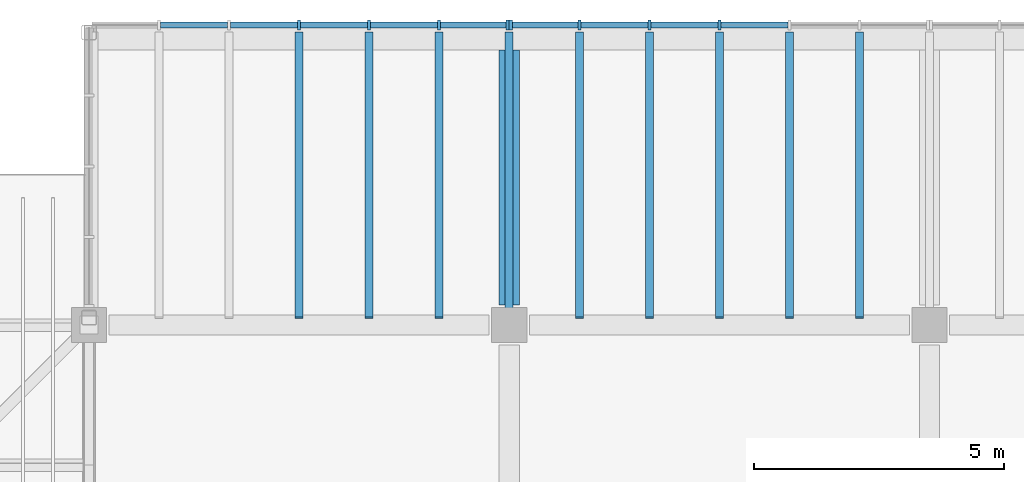
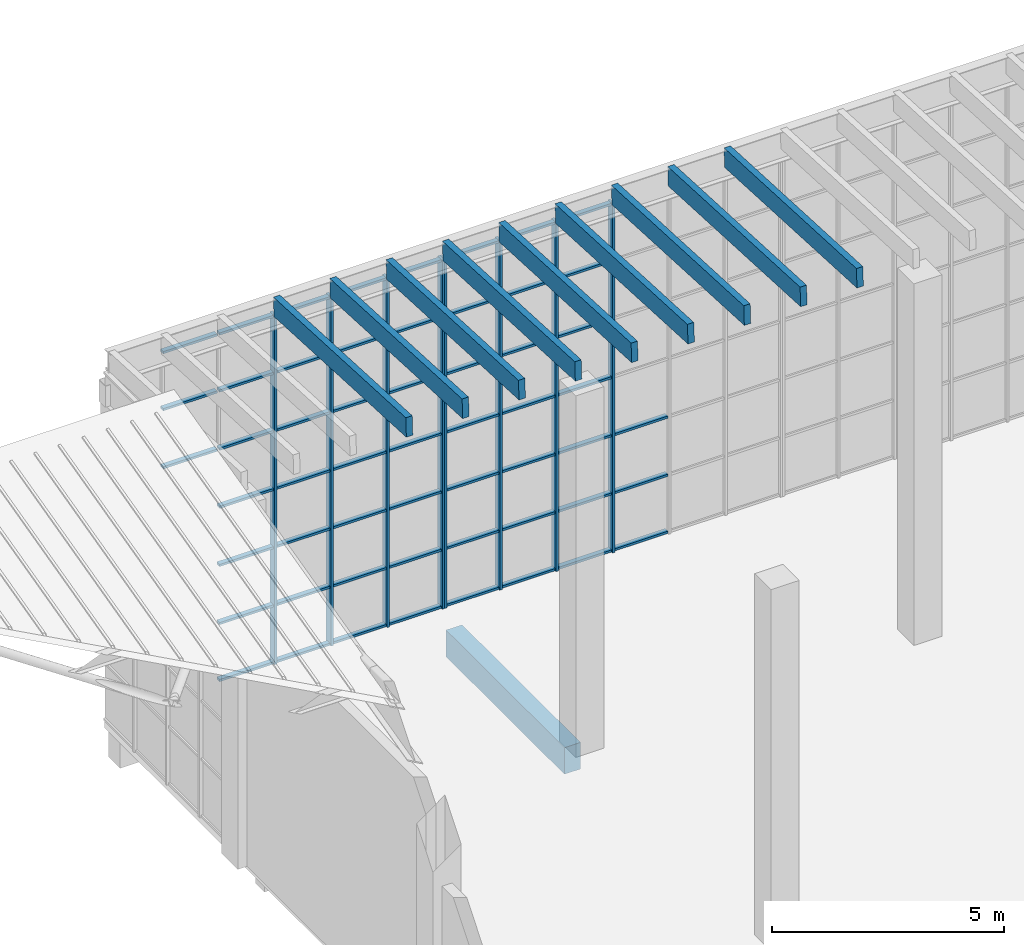
# One storey, part 16 of 114: 72 members, 1 beam, 2 elements without a shape of their own.
"""IFC4 building model written with IfcOpenShell, lengths in metres."""

from ifc_helpers import new_model, si_unit, direction, frame, origin, origin_2d, place, context, subcontext, project, spatial, rectangle, extrude, material, material_profile, profile_set, type_object, element, aggregate, save


model = new_model("IFC4")

# Units and contexts
model_context = context("Model", 3, precision=1e-05, world=origin(), true_north=direction((0.0, 1.0)))
body_context = subcontext(model_context, "Body", "Model", "MODEL_VIEW")
ifc_project = project(units=[si_unit("LENGTHUNIT", "METRE"), si_unit("AREAUNIT", "SQUARE_METRE"), si_unit("VOLUMEUNIT", "CUBIC_METRE"), si_unit("PLANEANGLEUNIT", "RADIAN"), si_unit("MASSUNIT", "GRAM", prefix="KILO")], contexts=[model_context])

# Site, building, storey
site_placement = place(None, origin())
site = spatial("IfcSite", under=ifc_project, at=site_placement, CompositionType="ELEMENT")
building_placement = place(site_placement, origin())
building = spatial("IfcBuilding", under=site, at=building_placement, Name="Almond Square Museum", CompositionType="ELEMENT")
storey_placement = place(building_placement, frame((0.0, 0.0, 10.5)))
storey = spatial("IfcBuildingStorey", under=building, at=storey_placement, Name="L02", CompositionType="ELEMENT", Elevation=10.5)

# Curtain wall, members
ifc_material_1 = material(Name="Aluminium and laminated glass", Category="aluminium")
curtain_wall_type = type_object("IfcCurtainWallType", Name="Unitised curtain wall 1500 module", PredefinedType="NOTDEFINED", material=ifc_material_1)
curtain_wall_1_placement = place(storey_placement, origin())
curtain_wall_1 = element("IfcCurtainWall", 1, at=curtain_wall_1_placement, inside=storey, type_object=curtain_wall_type, Name="Curtain wall CW-23", PredefinedType="NOTDEFINED")
ifc_material_2 = material(Name="Anodised aluminium", Category="aluminium")
ifc_material_profile_1 = material_profile(ifc_material_2, rectangle(XDim=0.199951171875, YDim=0.06005859375, at=origin_2d()))
ifc_profile_set_1 = profile_set([ifc_material_profile_1], Name="Anodised aluminium")
member_type_1 = type_object("IfcMemberType", Name="Aluminium mullion 60 x 200", PredefinedType="MULLION", material=ifc_profile_set_1)
member_1_placement = place(storey_placement, frame((48.030029296875, 115.199951171875, 0.0), z_axis=(0.0, 0.0, 1.0), x_axis=(0.0, 1.0, 0.0)))
member_1 = element("IfcMember", 2, at=member_1_placement, type_object=member_type_1, Name="CW-23 mullion 1", PredefinedType="MULLION", context=body_context, shape_type="SweptSolid", body=[
    extrude(rectangle(XDim=0.199951171875, YDim=0.06005859375, at=origin_2d()), origin(), (0.0, 0.0, 1.0), 9.166259765625),
])
member_2_placement = place(storey_placement, frame((49.39990234375, 115.199951171875, 0.0), z_axis=(0.0, 0.0, 1.0), x_axis=(0.0, 1.0, 0.0)))
member_2 = element("IfcMember", 3, at=member_2_placement, type_object=member_type_1, Name="CW-23 mullion 2", PredefinedType="MULLION", context=body_context, shape_type="SweptSolid", body=[
    extrude(rectangle(XDim=0.199951171875, YDim=0.06005859375, at=origin_2d()), origin(), (0.0, 0.0, 1.0), 9.166259765625),
])
member_3_placement = place(storey_placement, frame((50.800048828125, 115.199951171875, 0.0), z_axis=(0.0, 0.0, 1.0), x_axis=(0.0, 1.0, 0.0)))
member_3 = element("IfcMember", 4, at=member_3_placement, type_object=member_type_1, Name="CW-23 mullion 3", PredefinedType="MULLION", context=body_context, shape_type="SweptSolid", body=[
    extrude(rectangle(XDim=0.199951171875, YDim=0.06005859375, at=origin_2d()), origin(), (0.0, 0.0, 1.0), 9.166259765625),
])
member_4_placement = place(storey_placement, frame((52.199951171875, 115.199951171875, 0.0), z_axis=(0.0, 0.0, 1.0), x_axis=(0.0, 1.0, 0.0)))
member_4 = element("IfcMember", 5, at=member_4_placement, type_object=member_type_1, Name="CW-23 mullion 4", PredefinedType="MULLION", context=body_context, shape_type="SweptSolid", body=[
    extrude(rectangle(XDim=0.199951171875, YDim=0.06005859375, at=origin_2d()), origin(), (0.0, 0.0, 1.0), 9.166259765625),
])

curtain_wall_2_placement = place(storey_placement, origin())
curtain_wall_2 = element("IfcCurtainWall", 6, at=curtain_wall_2_placement, inside=storey, type_object=curtain_wall_type, Name="Curtain wall CW-24", PredefinedType="NOTDEFINED")
member_5_placement = place(storey_placement, frame((43.800048828125, 115.199951171875, 0.0), z_axis=(0.0, 0.0, 1.0), x_axis=(0.0, 1.0, 0.0)))
member_5 = element("IfcMember", 7, at=member_5_placement, type_object=member_type_1, Name="CW-24 mullion 4", PredefinedType="MULLION", context=body_context, shape_type="SweptSolid", body=[
    extrude(rectangle(XDim=0.199951171875, YDim=0.06005859375, at=origin_2d()), origin(), (0.0, 0.0, 1.0), 9.166259765625),
])
member_6_placement = place(storey_placement, frame((45.199951171875, 115.199951171875, 0.0), z_axis=(0.0, 0.0, 1.0), x_axis=(0.0, 1.0, 0.0)))
member_6 = element("IfcMember", 8, at=member_6_placement, type_object=member_type_1, Name="CW-24 mullion 5", PredefinedType="MULLION", context=body_context, shape_type="SweptSolid", body=[
    extrude(rectangle(XDim=0.199951171875, YDim=0.06005859375, at=origin_2d()), origin(), (0.0, 0.0, 1.0), 9.166259765625),
])
member_7_placement = place(storey_placement, frame((46.60009765625, 115.199951171875, 0.0), z_axis=(0.0, 0.0, 1.0), x_axis=(0.0, 1.0, 0.0)))
member_7 = element("IfcMember", 9, at=member_7_placement, type_object=member_type_1, Name="CW-24 mullion 6", PredefinedType="MULLION", context=body_context, shape_type="SweptSolid", body=[
    extrude(rectangle(XDim=0.199951171875, YDim=0.06005859375, at=origin_2d()), origin(), (0.0, 0.0, 1.0), 9.166259765625),
])
member_8_placement = place(storey_placement, frame((47.969970703125, 115.199951171875, 0.0), z_axis=(0.0, 0.0, 1.0), x_axis=(0.0, 1.0, 0.0)))
member_8 = element("IfcMember", 10, at=member_8_placement, type_object=member_type_1, Name="CW-24 mullion 7", PredefinedType="MULLION", context=body_context, shape_type="SweptSolid", body=[
    extrude(rectangle(XDim=0.199951171875, YDim=0.06005859375, at=origin_2d()), origin(), (0.0, 0.0, 1.0), 9.166259765625),
])

# Member
ifc_material_3 = material(Name="Anodised aluminium", Category="aluminium")
ifc_material_profile_2 = material_profile(ifc_material_3, rectangle(XDim=0.1201171875, YDim=0.06005859375, at=origin_2d()))
ifc_profile_set_2 = profile_set([ifc_material_profile_2], Name="Anodised aluminium")
member_type_2 = type_object("IfcMemberType", Name="Aluminium transom 60 x 120", PredefinedType="USERDEFINED", material=ifc_profile_set_2)
member_9_placement = place(storey_placement, frame((48.06005859375, 115.199951171875, 0.030029296875), z_axis=(1.0, 0.0, 0.0), x_axis=(0.0, 1.0, 0.0)))
member_9 = element("IfcMember", 11, at=member_9_placement, type_object=member_type_2, Name="CW-23 transom 1.1", ObjectType="TRANSOM", PredefinedType="USERDEFINED", context=body_context, shape_type="SweptSolid", body=[
    extrude(rectangle(XDim=0.1201171875, YDim=0.06005859375, at=origin_2d()), origin(), (0.0, 0.0, 1.0), 1.31005859375),
])

member_10_placement = place(storey_placement, frame((48.06005859375, 115.199951171875, 1.527587890625), z_axis=(1.0, 0.0, 0.0), x_axis=(0.0, 1.0, 0.0)))
member_10 = element("IfcMember", 12, at=member_10_placement, type_object=member_type_2, Name="CW-23 transom 1.2", ObjectType="TRANSOM", PredefinedType="USERDEFINED", context=body_context, shape_type="SweptSolid", body=[
    extrude(rectangle(XDim=0.1201171875, YDim=0.06005859375, at=origin_2d()), origin(), (0.0, 0.0, 1.0), 1.31005859375),
])

member_11_placement = place(storey_placement, frame((48.06005859375, 115.199951171875, 3.055419921875), z_axis=(1.0, 0.0, 0.0), x_axis=(0.0, 1.0, 0.0)))
member_11 = element("IfcMember", 13, at=member_11_placement, type_object=member_type_2, Name="CW-23 transom 1.3", ObjectType="TRANSOM", PredefinedType="USERDEFINED", context=body_context, shape_type="SweptSolid", body=[
    extrude(rectangle(XDim=0.1201171875, YDim=0.06005859375, at=origin_2d()), origin(), (0.0, 0.0, 1.0), 1.31005859375),
])

member_12_placement = place(storey_placement, frame((48.06005859375, 115.199951171875, 4.5830078125), z_axis=(1.0, 0.0, 0.0), x_axis=(0.0, 1.0, 0.0)))
member_12 = element("IfcMember", 14, at=member_12_placement, type_object=member_type_2, Name="CW-23 transom 1.4", ObjectType="TRANSOM", PredefinedType="USERDEFINED", context=body_context, shape_type="SweptSolid", body=[
    extrude(rectangle(XDim=0.1201171875, YDim=0.06005859375, at=origin_2d()), origin(), (0.0, 0.0, 1.0), 1.31005859375),
])

member_13_placement = place(storey_placement, frame((48.06005859375, 115.199951171875, 6.11083984375), z_axis=(1.0, 0.0, 0.0), x_axis=(0.0, 1.0, 0.0)))
member_13 = element("IfcMember", 15, at=member_13_placement, type_object=member_type_2, Name="CW-23 transom 1.5", ObjectType="TRANSOM", PredefinedType="USERDEFINED", context=body_context, shape_type="SweptSolid", body=[
    extrude(rectangle(XDim=0.1201171875, YDim=0.06005859375, at=origin_2d()), origin(), (0.0, 0.0, 1.0), 1.31005859375),
])

member_14_placement = place(storey_placement, frame((48.06005859375, 115.199951171875, 7.638427734375), z_axis=(1.0, 0.0, 0.0), x_axis=(0.0, 1.0, 0.0)))
member_14 = element("IfcMember", 16, at=member_14_placement, type_object=member_type_2, Name="CW-23 transom 1.6", ObjectType="TRANSOM", PredefinedType="USERDEFINED", context=body_context, shape_type="SweptSolid", body=[
    extrude(rectangle(XDim=0.1201171875, YDim=0.06005859375, at=origin_2d()), origin(), (0.0, 0.0, 1.0), 1.31005859375),
])

member_15_placement = place(storey_placement, frame((48.06005859375, 115.199951171875, 9.13623046875), z_axis=(1.0, 0.0, 0.0), x_axis=(0.0, 1.0, 0.0)))
member_15 = element("IfcMember", 17, at=member_15_placement, type_object=member_type_2, Name="CW-23 transom 1.7", ObjectType="TRANSOM", PredefinedType="USERDEFINED", context=body_context, shape_type="SweptSolid", body=[
    extrude(rectangle(XDim=0.1201171875, YDim=0.06005859375, at=origin_2d()), origin(), (0.0, 0.0, 1.0), 1.31005859375),
])

member_16_placement = place(storey_placement, frame((49.429931640625, 115.199951171875, 0.030029296875), z_axis=(1.0, 0.0, 0.0), x_axis=(0.0, 1.0, 0.0)))
member_16 = element("IfcMember", 18, at=member_16_placement, type_object=member_type_2, Name="CW-23 transom 2.1", ObjectType="TRANSOM", PredefinedType="USERDEFINED", context=body_context, shape_type="SweptSolid", body=[
    extrude(rectangle(XDim=0.1201171875, YDim=0.06005859375, at=origin_2d()), origin(), (0.0, 0.0, 1.0), 1.340087890625),
])

member_17_placement = place(storey_placement, frame((49.429931640625, 115.199951171875, 1.527587890625), z_axis=(1.0, 0.0, 0.0), x_axis=(0.0, 1.0, 0.0)))
member_17 = element("IfcMember", 19, at=member_17_placement, type_object=member_type_2, Name="CW-23 transom 2.2", ObjectType="TRANSOM", PredefinedType="USERDEFINED", context=body_context, shape_type="SweptSolid", body=[
    extrude(rectangle(XDim=0.1201171875, YDim=0.06005859375, at=origin_2d()), origin(), (0.0, 0.0, 1.0), 1.340087890625),
])

member_18_placement = place(storey_placement, frame((49.429931640625, 115.199951171875, 3.055419921875), z_axis=(1.0, 0.0, 0.0), x_axis=(0.0, 1.0, 0.0)))
member_18 = element("IfcMember", 20, at=member_18_placement, type_object=member_type_2, Name="CW-23 transom 2.3", ObjectType="TRANSOM", PredefinedType="USERDEFINED", context=body_context, shape_type="SweptSolid", body=[
    extrude(rectangle(XDim=0.1201171875, YDim=0.06005859375, at=origin_2d()), origin(), (0.0, 0.0, 1.0), 1.340087890625),
])

member_19_placement = place(storey_placement, frame((49.429931640625, 115.199951171875, 4.5830078125), z_axis=(1.0, 0.0, 0.0), x_axis=(0.0, 1.0, 0.0)))
member_19 = element("IfcMember", 21, at=member_19_placement, type_object=member_type_2, Name="CW-23 transom 2.4", ObjectType="TRANSOM", PredefinedType="USERDEFINED", context=body_context, shape_type="SweptSolid", body=[
    extrude(rectangle(XDim=0.1201171875, YDim=0.06005859375, at=origin_2d()), origin(), (0.0, 0.0, 1.0), 1.340087890625),
])

member_20_placement = place(storey_placement, frame((49.429931640625, 115.199951171875, 6.11083984375), z_axis=(1.0, 0.0, 0.0), x_axis=(0.0, 1.0, 0.0)))
member_20 = element("IfcMember", 22, at=member_20_placement, type_object=member_type_2, Name="CW-23 transom 2.5", ObjectType="TRANSOM", PredefinedType="USERDEFINED", context=body_context, shape_type="SweptSolid", body=[
    extrude(rectangle(XDim=0.1201171875, YDim=0.06005859375, at=origin_2d()), origin(), (0.0, 0.0, 1.0), 1.340087890625),
])

member_21_placement = place(storey_placement, frame((49.429931640625, 115.199951171875, 7.638427734375), z_axis=(1.0, 0.0, 0.0), x_axis=(0.0, 1.0, 0.0)))
member_21 = element("IfcMember", 23, at=member_21_placement, type_object=member_type_2, Name="CW-23 transom 2.6", ObjectType="TRANSOM", PredefinedType="USERDEFINED", context=body_context, shape_type="SweptSolid", body=[
    extrude(rectangle(XDim=0.1201171875, YDim=0.06005859375, at=origin_2d()), origin(), (0.0, 0.0, 1.0), 1.340087890625),
])

member_22_placement = place(storey_placement, frame((49.429931640625, 115.199951171875, 9.13623046875), z_axis=(1.0, 0.0, 0.0), x_axis=(0.0, 1.0, 0.0)))
member_22 = element("IfcMember", 24, at=member_22_placement, type_object=member_type_2, Name="CW-23 transom 2.7", ObjectType="TRANSOM", PredefinedType="USERDEFINED", context=body_context, shape_type="SweptSolid", body=[
    extrude(rectangle(XDim=0.1201171875, YDim=0.06005859375, at=origin_2d()), origin(), (0.0, 0.0, 1.0), 1.340087890625),
])

member_23_placement = place(storey_placement, frame((50.830078125, 115.199951171875, 0.030029296875), z_axis=(1.0, 0.0, 0.0), x_axis=(0.0, 1.0, 0.0)))
member_23 = element("IfcMember", 25, at=member_23_placement, type_object=member_type_2, Name="CW-23 transom 3.1", ObjectType="TRANSOM", PredefinedType="USERDEFINED", context=body_context, shape_type="SweptSolid", body=[
    extrude(rectangle(XDim=0.1201171875, YDim=0.06005859375, at=origin_2d()), origin(), (0.0, 0.0, 1.0), 1.33984375),
])

member_24_placement = place(storey_placement, frame((50.830078125, 115.199951171875, 1.527587890625), z_axis=(1.0, 0.0, 0.0), x_axis=(0.0, 1.0, 0.0)))
member_24 = element("IfcMember", 26, at=member_24_placement, type_object=member_type_2, Name="CW-23 transom 3.2", ObjectType="TRANSOM", PredefinedType="USERDEFINED", context=body_context, shape_type="SweptSolid", body=[
    extrude(rectangle(XDim=0.1201171875, YDim=0.06005859375, at=origin_2d()), origin(), (0.0, 0.0, 1.0), 1.33984375),
])

member_25_placement = place(storey_placement, frame((50.830078125, 115.199951171875, 3.055419921875), z_axis=(1.0, 0.0, 0.0), x_axis=(0.0, 1.0, 0.0)))
member_25 = element("IfcMember", 27, at=member_25_placement, type_object=member_type_2, Name="CW-23 transom 3.3", ObjectType="TRANSOM", PredefinedType="USERDEFINED", context=body_context, shape_type="SweptSolid", body=[
    extrude(rectangle(XDim=0.1201171875, YDim=0.06005859375, at=origin_2d()), origin(), (0.0, 0.0, 1.0), 1.33984375),
])

member_26_placement = place(storey_placement, frame((50.830078125, 115.199951171875, 4.5830078125), z_axis=(1.0, 0.0, 0.0), x_axis=(0.0, 1.0, 0.0)))
member_26 = element("IfcMember", 28, at=member_26_placement, type_object=member_type_2, Name="CW-23 transom 3.4", ObjectType="TRANSOM", PredefinedType="USERDEFINED", context=body_context, shape_type="SweptSolid", body=[
    extrude(rectangle(XDim=0.1201171875, YDim=0.06005859375, at=origin_2d()), origin(), (0.0, 0.0, 1.0), 1.33984375),
])

member_27_placement = place(storey_placement, frame((50.830078125, 115.199951171875, 6.11083984375), z_axis=(1.0, 0.0, 0.0), x_axis=(0.0, 1.0, 0.0)))
member_27 = element("IfcMember", 29, at=member_27_placement, type_object=member_type_2, Name="CW-23 transom 3.5", ObjectType="TRANSOM", PredefinedType="USERDEFINED", context=body_context, shape_type="SweptSolid", body=[
    extrude(rectangle(XDim=0.1201171875, YDim=0.06005859375, at=origin_2d()), origin(), (0.0, 0.0, 1.0), 1.33984375),
])

member_28_placement = place(storey_placement, frame((50.830078125, 115.199951171875, 7.638427734375), z_axis=(1.0, 0.0, 0.0), x_axis=(0.0, 1.0, 0.0)))
member_28 = element("IfcMember", 30, at=member_28_placement, type_object=member_type_2, Name="CW-23 transom 3.6", ObjectType="TRANSOM", PredefinedType="USERDEFINED", context=body_context, shape_type="SweptSolid", body=[
    extrude(rectangle(XDim=0.1201171875, YDim=0.06005859375, at=origin_2d()), origin(), (0.0, 0.0, 1.0), 1.33984375),
])

member_29_placement = place(storey_placement, frame((50.830078125, 115.199951171875, 9.13623046875), z_axis=(1.0, 0.0, 0.0), x_axis=(0.0, 1.0, 0.0)))
member_29 = element("IfcMember", 31, at=member_29_placement, type_object=member_type_2, Name="CW-23 transom 3.7", ObjectType="TRANSOM", PredefinedType="USERDEFINED", context=body_context, shape_type="SweptSolid", body=[
    extrude(rectangle(XDim=0.1201171875, YDim=0.06005859375, at=origin_2d()), origin(), (0.0, 0.0, 1.0), 1.33984375),
])

member_30_placement = place(storey_placement, frame((52.22998046875, 115.199951171875, 0.030029296875), z_axis=(1.0, 0.0, 0.0), x_axis=(0.0, 1.0, 0.0)))
member_30 = element("IfcMember", 32, at=member_30_placement, type_object=member_type_2, Name="CW-23 transom 4.1", ObjectType="TRANSOM", PredefinedType="USERDEFINED", context=body_context, shape_type="SweptSolid", body=[
    extrude(rectangle(XDim=0.1201171875, YDim=0.06005859375, at=origin_2d()), origin(), (0.0, 0.0, 1.0), 1.340087890625),
])

member_31_placement = place(storey_placement, frame((52.22998046875, 115.199951171875, 1.527587890625), z_axis=(1.0, 0.0, 0.0), x_axis=(0.0, 1.0, 0.0)))
member_31 = element("IfcMember", 33, at=member_31_placement, type_object=member_type_2, Name="CW-23 transom 4.2", ObjectType="TRANSOM", PredefinedType="USERDEFINED", context=body_context, shape_type="SweptSolid", body=[
    extrude(rectangle(XDim=0.1201171875, YDim=0.06005859375, at=origin_2d()), origin(), (0.0, 0.0, 1.0), 1.340087890625),
])

member_32_placement = place(storey_placement, frame((52.22998046875, 115.199951171875, 3.055419921875), z_axis=(1.0, 0.0, 0.0), x_axis=(0.0, 1.0, 0.0)))
member_32 = element("IfcMember", 34, at=member_32_placement, type_object=member_type_2, Name="CW-23 transom 4.3", ObjectType="TRANSOM", PredefinedType="USERDEFINED", context=body_context, shape_type="SweptSolid", body=[
    extrude(rectangle(XDim=0.1201171875, YDim=0.06005859375, at=origin_2d()), origin(), (0.0, 0.0, 1.0), 1.340087890625),
])

aggregate(curtain_wall_1, [member_1, member_2, member_3, member_4, member_9, member_10, member_11, member_12, member_13, member_14, member_15, member_16, member_17, member_18, member_19, member_20, member_21, member_22, member_23, member_24, member_25, member_26, member_27, member_28, member_29, member_30, member_31, member_32])

member_33_placement = place(storey_placement, frame((41.030029296875, 115.199951171875, 6.11083984375), z_axis=(1.0, 0.0, 0.0), x_axis=(0.0, 1.0, 0.0)))
member_33 = element("IfcMember", 35, at=member_33_placement, type_object=member_type_2, Name="CW-24 transom 2.5", ObjectType="TRANSOM", PredefinedType="USERDEFINED", context=body_context, shape_type="SweptSolid", body=[
    extrude(rectangle(XDim=0.1201171875, YDim=0.06005859375, at=origin_2d()), origin(), (0.0, 0.0, 1.0), 1.340087890625),
])

member_34_placement = place(storey_placement, frame((41.030029296875, 115.199951171875, 7.638427734375), z_axis=(1.0, 0.0, 0.0), x_axis=(0.0, 1.0, 0.0)))
member_34 = element("IfcMember", 36, at=member_34_placement, type_object=member_type_2, Name="CW-24 transom 2.6", ObjectType="TRANSOM", PredefinedType="USERDEFINED", context=body_context, shape_type="SweptSolid", body=[
    extrude(rectangle(XDim=0.1201171875, YDim=0.06005859375, at=origin_2d()), origin(), (0.0, 0.0, 1.0), 1.340087890625),
])

member_35_placement = place(storey_placement, frame((41.030029296875, 115.199951171875, 9.13623046875), z_axis=(1.0, 0.0, 0.0), x_axis=(0.0, 1.0, 0.0)))
member_35 = element("IfcMember", 37, at=member_35_placement, type_object=member_type_2, Name="CW-24 transom 2.7", ObjectType="TRANSOM", PredefinedType="USERDEFINED", context=body_context, shape_type="SweptSolid", body=[
    extrude(rectangle(XDim=0.1201171875, YDim=0.06005859375, at=origin_2d()), origin(), (0.0, 0.0, 1.0), 1.340087890625),
])

member_36_placement = place(storey_placement, frame((42.429931640625, 115.199951171875, 0.030029296875), z_axis=(1.0, 0.0, 0.0), x_axis=(0.0, 1.0, 0.0)))
member_36 = element("IfcMember", 38, at=member_36_placement, type_object=member_type_2, Name="CW-24 transom 3.1", ObjectType="TRANSOM", PredefinedType="USERDEFINED", context=body_context, shape_type="SweptSolid", body=[
    extrude(rectangle(XDim=0.1201171875, YDim=0.06005859375, at=origin_2d()), origin(), (0.0, 0.0, 1.0), 1.340087890625),
])

member_37_placement = place(storey_placement, frame((42.429931640625, 115.199951171875, 1.527587890625), z_axis=(1.0, 0.0, 0.0), x_axis=(0.0, 1.0, 0.0)))
member_37 = element("IfcMember", 39, at=member_37_placement, type_object=member_type_2, Name="CW-24 transom 3.2", ObjectType="TRANSOM", PredefinedType="USERDEFINED", context=body_context, shape_type="SweptSolid", body=[
    extrude(rectangle(XDim=0.1201171875, YDim=0.06005859375, at=origin_2d()), origin(), (0.0, 0.0, 1.0), 1.340087890625),
])

member_38_placement = place(storey_placement, frame((42.429931640625, 115.199951171875, 3.055419921875), z_axis=(1.0, 0.0, 0.0), x_axis=(0.0, 1.0, 0.0)))
member_38 = element("IfcMember", 40, at=member_38_placement, type_object=member_type_2, Name="CW-24 transom 3.3", ObjectType="TRANSOM", PredefinedType="USERDEFINED", context=body_context, shape_type="SweptSolid", body=[
    extrude(rectangle(XDim=0.1201171875, YDim=0.06005859375, at=origin_2d()), origin(), (0.0, 0.0, 1.0), 1.340087890625),
])

member_39_placement = place(storey_placement, frame((42.429931640625, 115.199951171875, 4.5830078125), z_axis=(1.0, 0.0, 0.0), x_axis=(0.0, 1.0, 0.0)))
member_39 = element("IfcMember", 41, at=member_39_placement, type_object=member_type_2, Name="CW-24 transom 3.4", ObjectType="TRANSOM", PredefinedType="USERDEFINED", context=body_context, shape_type="SweptSolid", body=[
    extrude(rectangle(XDim=0.1201171875, YDim=0.06005859375, at=origin_2d()), origin(), (0.0, 0.0, 1.0), 1.340087890625),
])

member_40_placement = place(storey_placement, frame((42.429931640625, 115.199951171875, 6.11083984375), z_axis=(1.0, 0.0, 0.0), x_axis=(0.0, 1.0, 0.0)))
member_40 = element("IfcMember", 42, at=member_40_placement, type_object=member_type_2, Name="CW-24 transom 3.5", ObjectType="TRANSOM", PredefinedType="USERDEFINED", context=body_context, shape_type="SweptSolid", body=[
    extrude(rectangle(XDim=0.1201171875, YDim=0.06005859375, at=origin_2d()), origin(), (0.0, 0.0, 1.0), 1.340087890625),
])

member_41_placement = place(storey_placement, frame((42.429931640625, 115.199951171875, 7.638427734375), z_axis=(1.0, 0.0, 0.0), x_axis=(0.0, 1.0, 0.0)))
member_41 = element("IfcMember", 43, at=member_41_placement, type_object=member_type_2, Name="CW-24 transom 3.6", ObjectType="TRANSOM", PredefinedType="USERDEFINED", context=body_context, shape_type="SweptSolid", body=[
    extrude(rectangle(XDim=0.1201171875, YDim=0.06005859375, at=origin_2d()), origin(), (0.0, 0.0, 1.0), 1.340087890625),
])

member_42_placement = place(storey_placement, frame((42.429931640625, 115.199951171875, 9.13623046875), z_axis=(1.0, 0.0, 0.0), x_axis=(0.0, 1.0, 0.0)))
member_42 = element("IfcMember", 44, at=member_42_placement, type_object=member_type_2, Name="CW-24 transom 3.7", ObjectType="TRANSOM", PredefinedType="USERDEFINED", context=body_context, shape_type="SweptSolid", body=[
    extrude(rectangle(XDim=0.1201171875, YDim=0.06005859375, at=origin_2d()), origin(), (0.0, 0.0, 1.0), 1.340087890625),
])

member_43_placement = place(storey_placement, frame((43.830078125, 115.199951171875, 0.030029296875), z_axis=(1.0, 0.0, 0.0), x_axis=(0.0, 1.0, 0.0)))
member_43 = element("IfcMember", 45, at=member_43_placement, type_object=member_type_2, Name="CW-24 transom 4.1", ObjectType="TRANSOM", PredefinedType="USERDEFINED", context=body_context, shape_type="SweptSolid", body=[
    extrude(rectangle(XDim=0.1201171875, YDim=0.06005859375, at=origin_2d()), origin(), (0.0, 0.0, 1.0), 1.33984375),
])

member_44_placement = place(storey_placement, frame((43.830078125, 115.199951171875, 1.527587890625), z_axis=(1.0, 0.0, 0.0), x_axis=(0.0, 1.0, 0.0)))
member_44 = element("IfcMember", 46, at=member_44_placement, type_object=member_type_2, Name="CW-24 transom 4.2", ObjectType="TRANSOM", PredefinedType="USERDEFINED", context=body_context, shape_type="SweptSolid", body=[
    extrude(rectangle(XDim=0.1201171875, YDim=0.06005859375, at=origin_2d()), origin(), (0.0, 0.0, 1.0), 1.33984375),
])

member_45_placement = place(storey_placement, frame((43.830078125, 115.199951171875, 3.055419921875), z_axis=(1.0, 0.0, 0.0), x_axis=(0.0, 1.0, 0.0)))
member_45 = element("IfcMember", 47, at=member_45_placement, type_object=member_type_2, Name="CW-24 transom 4.3", ObjectType="TRANSOM", PredefinedType="USERDEFINED", context=body_context, shape_type="SweptSolid", body=[
    extrude(rectangle(XDim=0.1201171875, YDim=0.06005859375, at=origin_2d()), origin(), (0.0, 0.0, 1.0), 1.33984375),
])

member_46_placement = place(storey_placement, frame((43.830078125, 115.199951171875, 4.5830078125), z_axis=(1.0, 0.0, 0.0), x_axis=(0.0, 1.0, 0.0)))
member_46 = element("IfcMember", 48, at=member_46_placement, type_object=member_type_2, Name="CW-24 transom 4.4", ObjectType="TRANSOM", PredefinedType="USERDEFINED", context=body_context, shape_type="SweptSolid", body=[
    extrude(rectangle(XDim=0.1201171875, YDim=0.06005859375, at=origin_2d()), origin(), (0.0, 0.0, 1.0), 1.33984375),
])

member_47_placement = place(storey_placement, frame((43.830078125, 115.199951171875, 6.11083984375), z_axis=(1.0, 0.0, 0.0), x_axis=(0.0, 1.0, 0.0)))
member_47 = element("IfcMember", 49, at=member_47_placement, type_object=member_type_2, Name="CW-24 transom 4.5", ObjectType="TRANSOM", PredefinedType="USERDEFINED", context=body_context, shape_type="SweptSolid", body=[
    extrude(rectangle(XDim=0.1201171875, YDim=0.06005859375, at=origin_2d()), origin(), (0.0, 0.0, 1.0), 1.33984375),
])

member_48_placement = place(storey_placement, frame((43.830078125, 115.199951171875, 7.638427734375), z_axis=(1.0, 0.0, 0.0), x_axis=(0.0, 1.0, 0.0)))
member_48 = element("IfcMember", 50, at=member_48_placement, type_object=member_type_2, Name="CW-24 transom 4.6", ObjectType="TRANSOM", PredefinedType="USERDEFINED", context=body_context, shape_type="SweptSolid", body=[
    extrude(rectangle(XDim=0.1201171875, YDim=0.06005859375, at=origin_2d()), origin(), (0.0, 0.0, 1.0), 1.33984375),
])

member_49_placement = place(storey_placement, frame((43.830078125, 115.199951171875, 9.13623046875), z_axis=(1.0, 0.0, 0.0), x_axis=(0.0, 1.0, 0.0)))
member_49 = element("IfcMember", 51, at=member_49_placement, type_object=member_type_2, Name="CW-24 transom 4.7", ObjectType="TRANSOM", PredefinedType="USERDEFINED", context=body_context, shape_type="SweptSolid", body=[
    extrude(rectangle(XDim=0.1201171875, YDim=0.06005859375, at=origin_2d()), origin(), (0.0, 0.0, 1.0), 1.33984375),
])

member_50_placement = place(storey_placement, frame((45.22998046875, 115.199951171875, 0.030029296875), z_axis=(1.0, 0.0, 0.0), x_axis=(0.0, 1.0, 0.0)))
member_50 = element("IfcMember", 52, at=member_50_placement, type_object=member_type_2, Name="CW-24 transom 5.1", ObjectType="TRANSOM", PredefinedType="USERDEFINED", context=body_context, shape_type="SweptSolid", body=[
    extrude(rectangle(XDim=0.1201171875, YDim=0.06005859375, at=origin_2d()), origin(), (0.0, 0.0, 1.0), 1.340087890625),
])

member_51_placement = place(storey_placement, frame((45.22998046875, 115.199951171875, 1.527587890625), z_axis=(1.0, 0.0, 0.0), x_axis=(0.0, 1.0, 0.0)))
member_51 = element("IfcMember", 53, at=member_51_placement, type_object=member_type_2, Name="CW-24 transom 5.2", ObjectType="TRANSOM", PredefinedType="USERDEFINED", context=body_context, shape_type="SweptSolid", body=[
    extrude(rectangle(XDim=0.1201171875, YDim=0.06005859375, at=origin_2d()), origin(), (0.0, 0.0, 1.0), 1.340087890625),
])

member_52_placement = place(storey_placement, frame((45.22998046875, 115.199951171875, 3.055419921875), z_axis=(1.0, 0.0, 0.0), x_axis=(0.0, 1.0, 0.0)))
member_52 = element("IfcMember", 54, at=member_52_placement, type_object=member_type_2, Name="CW-24 transom 5.3", ObjectType="TRANSOM", PredefinedType="USERDEFINED", context=body_context, shape_type="SweptSolid", body=[
    extrude(rectangle(XDim=0.1201171875, YDim=0.06005859375, at=origin_2d()), origin(), (0.0, 0.0, 1.0), 1.340087890625),
])

member_53_placement = place(storey_placement, frame((45.22998046875, 115.199951171875, 4.5830078125), z_axis=(1.0, 0.0, 0.0), x_axis=(0.0, 1.0, 0.0)))
member_53 = element("IfcMember", 55, at=member_53_placement, type_object=member_type_2, Name="CW-24 transom 5.4", ObjectType="TRANSOM", PredefinedType="USERDEFINED", context=body_context, shape_type="SweptSolid", body=[
    extrude(rectangle(XDim=0.1201171875, YDim=0.06005859375, at=origin_2d()), origin(), (0.0, 0.0, 1.0), 1.340087890625),
])

member_54_placement = place(storey_placement, frame((45.22998046875, 115.199951171875, 6.11083984375), z_axis=(1.0, 0.0, 0.0), x_axis=(0.0, 1.0, 0.0)))
member_54 = element("IfcMember", 56, at=member_54_placement, type_object=member_type_2, Name="CW-24 transom 5.5", ObjectType="TRANSOM", PredefinedType="USERDEFINED", context=body_context, shape_type="SweptSolid", body=[
    extrude(rectangle(XDim=0.1201171875, YDim=0.06005859375, at=origin_2d()), origin(), (0.0, 0.0, 1.0), 1.340087890625),
])

member_55_placement = place(storey_placement, frame((45.22998046875, 115.199951171875, 7.638427734375), z_axis=(1.0, 0.0, 0.0), x_axis=(0.0, 1.0, 0.0)))
member_55 = element("IfcMember", 57, at=member_55_placement, type_object=member_type_2, Name="CW-24 transom 5.6", ObjectType="TRANSOM", PredefinedType="USERDEFINED", context=body_context, shape_type="SweptSolid", body=[
    extrude(rectangle(XDim=0.1201171875, YDim=0.06005859375, at=origin_2d()), origin(), (0.0, 0.0, 1.0), 1.340087890625),
])

member_56_placement = place(storey_placement, frame((45.22998046875, 115.199951171875, 9.13623046875), z_axis=(1.0, 0.0, 0.0), x_axis=(0.0, 1.0, 0.0)))
member_56 = element("IfcMember", 58, at=member_56_placement, type_object=member_type_2, Name="CW-24 transom 5.7", ObjectType="TRANSOM", PredefinedType="USERDEFINED", context=body_context, shape_type="SweptSolid", body=[
    extrude(rectangle(XDim=0.1201171875, YDim=0.06005859375, at=origin_2d()), origin(), (0.0, 0.0, 1.0), 1.340087890625),
])

member_57_placement = place(storey_placement, frame((46.6298828125, 115.199951171875, 0.030029296875), z_axis=(1.0, 0.0, 0.0), x_axis=(0.0, 1.0, 0.0)))
member_57 = element("IfcMember", 59, at=member_57_placement, type_object=member_type_2, Name="CW-24 transom 6.1", ObjectType="TRANSOM", PredefinedType="USERDEFINED", context=body_context, shape_type="SweptSolid", body=[
    extrude(rectangle(XDim=0.1201171875, YDim=0.06005859375, at=origin_2d()), origin(), (0.0, 0.0, 1.0), 1.31005859375),
])

member_58_placement = place(storey_placement, frame((46.6298828125, 115.199951171875, 1.527587890625), z_axis=(1.0, 0.0, 0.0), x_axis=(0.0, 1.0, 0.0)))
member_58 = element("IfcMember", 60, at=member_58_placement, type_object=member_type_2, Name="CW-24 transom 6.2", ObjectType="TRANSOM", PredefinedType="USERDEFINED", context=body_context, shape_type="SweptSolid", body=[
    extrude(rectangle(XDim=0.1201171875, YDim=0.06005859375, at=origin_2d()), origin(), (0.0, 0.0, 1.0), 1.31005859375),
])

member_59_placement = place(storey_placement, frame((46.6298828125, 115.199951171875, 3.055419921875), z_axis=(1.0, 0.0, 0.0), x_axis=(0.0, 1.0, 0.0)))
member_59 = element("IfcMember", 61, at=member_59_placement, type_object=member_type_2, Name="CW-24 transom 6.3", ObjectType="TRANSOM", PredefinedType="USERDEFINED", context=body_context, shape_type="SweptSolid", body=[
    extrude(rectangle(XDim=0.1201171875, YDim=0.06005859375, at=origin_2d()), origin(), (0.0, 0.0, 1.0), 1.31005859375),
])

member_60_placement = place(storey_placement, frame((46.6298828125, 115.199951171875, 4.5830078125), z_axis=(1.0, 0.0, 0.0), x_axis=(0.0, 1.0, 0.0)))
member_60 = element("IfcMember", 62, at=member_60_placement, type_object=member_type_2, Name="CW-24 transom 6.4", ObjectType="TRANSOM", PredefinedType="USERDEFINED", context=body_context, shape_type="SweptSolid", body=[
    extrude(rectangle(XDim=0.1201171875, YDim=0.06005859375, at=origin_2d()), origin(), (0.0, 0.0, 1.0), 1.31005859375),
])

member_61_placement = place(storey_placement, frame((46.6298828125, 115.199951171875, 6.11083984375), z_axis=(1.0, 0.0, 0.0), x_axis=(0.0, 1.0, 0.0)))
member_61 = element("IfcMember", 63, at=member_61_placement, type_object=member_type_2, Name="CW-24 transom 6.5", ObjectType="TRANSOM", PredefinedType="USERDEFINED", context=body_context, shape_type="SweptSolid", body=[
    extrude(rectangle(XDim=0.1201171875, YDim=0.06005859375, at=origin_2d()), origin(), (0.0, 0.0, 1.0), 1.31005859375),
])

member_62_placement = place(storey_placement, frame((46.6298828125, 115.199951171875, 7.638427734375), z_axis=(1.0, 0.0, 0.0), x_axis=(0.0, 1.0, 0.0)))
member_62 = element("IfcMember", 64, at=member_62_placement, type_object=member_type_2, Name="CW-24 transom 6.6", ObjectType="TRANSOM", PredefinedType="USERDEFINED", context=body_context, shape_type="SweptSolid", body=[
    extrude(rectangle(XDim=0.1201171875, YDim=0.06005859375, at=origin_2d()), origin(), (0.0, 0.0, 1.0), 1.31005859375),
])

member_63_placement = place(storey_placement, frame((46.6298828125, 115.199951171875, 9.13623046875), z_axis=(1.0, 0.0, 0.0), x_axis=(0.0, 1.0, 0.0)))
member_63 = element("IfcMember", 65, at=member_63_placement, type_object=member_type_2, Name="CW-24 transom 6.7", ObjectType="TRANSOM", PredefinedType="USERDEFINED", context=body_context, shape_type="SweptSolid", body=[
    extrude(rectangle(XDim=0.1201171875, YDim=0.06005859375, at=origin_2d()), origin(), (0.0, 0.0, 1.0), 1.31005859375),
])

aggregate(curtain_wall_2, [member_5, member_6, member_7, member_8, member_33, member_34, member_35, member_36, member_37, member_38, member_39, member_40, member_41, member_42, member_43, member_44, member_45, member_46, member_47, member_48, member_49, member_50, member_51, member_52, member_53, member_54, member_55, member_56, member_57, member_58, member_59, member_60, member_61, member_62, member_63])

# Members
ifc_material_4 = material(Name="Glulam GL28h", Category="wood")
ifc_material_profile_3 = material_profile(ifc_material_4, rectangle(XDim=0.159912109375, YDim=0.5, at=origin_2d()))
ifc_profile_set_3 = profile_set([ifc_material_profile_3], Name="Glulam GL28h")
member_type_3 = type_object("IfcMemberType", Name="Glulam rafter GL28h 160x500", PredefinedType="RAFTER", material=ifc_profile_set_3)
for number, where, z_axis, x_axis, name in (
    (66, (43.800048828125, 109.35009765625, 9.7421875), (0.0, 0.998750951657, -0.049965353644), (-1.0, 0.0, 0.0), "Box roof rafter 4"),
    (67, (45.199951171875, 109.35009765625, 9.7421875), (0.0, 0.998750951657, -0.049965353644), (-1.0, 0.0, 0.0), "Box roof rafter 5"),
    (68, (46.60009765625, 109.35009765625, 9.7421875), (0.0, 0.998750951657, -0.049965353644), (-1.0, 0.0, 0.0), "Box roof rafter 6"),
    (69, (48.0, 109.35009765625, 9.7421875), (0.0, 0.998750951657, -0.049965353644), (-1.0, 0.0, 0.0), "Box roof rafter 7"),
    (70, (49.39990234375, 109.35009765625, 9.7421875), (0.0, 0.998750951657, -0.049965353644), (-1.0, 0.0, 0.0), "Box roof rafter 8"),
    (71, (50.800048828125, 109.35009765625, 9.7421875), (0.0, 0.998750951657, -0.049965353644), (-1.0, 0.0, 0.0), "Box roof rafter 9"),
    (72, (52.199951171875, 109.35009765625, 9.7421875), (0.0, 0.998750951657, -0.049965353644), (-1.0, 0.0, 0.0), "Box roof rafter 10"),
    (73, (53.60009765625, 109.35009765625, 9.7421875), (0.0, 0.998750951657, -0.049965353644), (-1.0, 0.0, 0.0), "Box roof rafter 11"),
    (74, (55.0, 109.35009765625, 9.7421875), (0.0, 0.998750951657, -0.049965353644), (-1.0, 0.0, 0.0), "Box roof rafter 12"),
):
    element("IfcMember", number, at=place(storey_placement, frame(where, z_axis=z_axis, x_axis=x_axis)), inside=storey, type_object=member_type_3, Name=name, PredefinedType="RAFTER", context=body_context, shape_type="SweptSolid", body=[
        extrude(rectangle(XDim=0.159912109375, YDim=0.5, at=origin_2d()), origin(), (0.0, 0.0, 1.0), 5.70703125),
    ])

# Beam
ifc_material_5 = material(Name="Concrete C40/50", Category="concrete")
ifc_material_profile_4 = material_profile(ifc_material_5, rectangle(XDim=0.39990234375, YDim=0.699951171875, at=origin_2d()))
ifc_profile_set_4 = profile_set([ifc_material_profile_4], Name="Concrete C40/50")
beam_type = type_object("IfcBeamType", Name="RC beam 400 x 700 C40/50", PredefinedType="BEAM", material=ifc_profile_set_4)
beam_placement = place(storey_placement, frame((48.0, 109.60009765625, -0.60009765625), z_axis=(0.0, 1.0, 0.0), x_axis=(-1.0, 0.0, 0.0)))
element("IfcBeam", 75, at=beam_placement, inside=storey, type_object=beam_type, Name="Beam 7 N-O L02", PredefinedType="BEAM", context=body_context, shape_type="SweptSolid", body=[
    extrude(rectangle(XDim=0.39990234375, YDim=0.699951171875, at=origin_2d()), origin(), (0.0, 0.0, 1.0), 5.099853515625),
])

save(model, "model.ifc")
